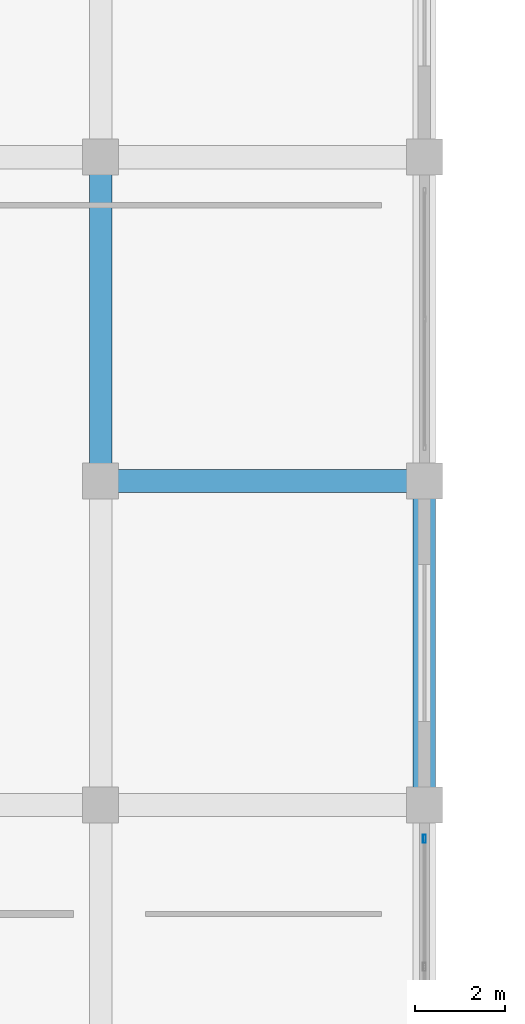
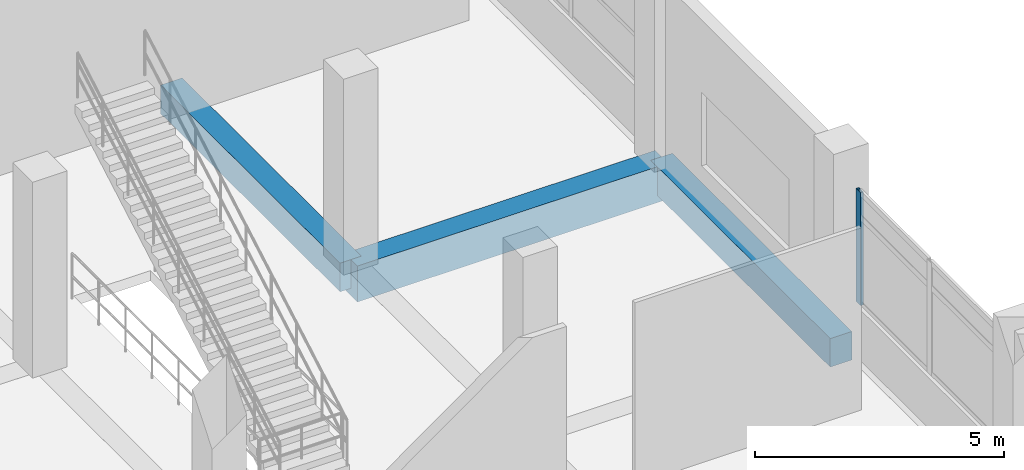
# One storey, part 52 of 140: 3 beams, 1 member, 1 element without a shape of its own.
"""IFC4 building model written with IfcOpenShell, lengths in metres."""

from ifc_helpers import new_model, si_unit, direction, frame, origin, origin_2d, place, context, subcontext, project, spatial, rectangle, hollow_rectangle, extrude, material, layer, layer_set, material_profile, profile_set, type_object, element, aggregate, save


model = new_model("IFC4")

# Units and contexts
model_context = context("Model", 3, precision=1e-05, world=origin(), true_north=direction((0.0, 1.0)))
body_context = subcontext(model_context, "Body", "Model", "MODEL_VIEW")
ifc_project = project(units=[si_unit("LENGTHUNIT", "METRE"), si_unit("AREAUNIT", "SQUARE_METRE"), si_unit("VOLUMEUNIT", "CUBIC_METRE"), si_unit("PLANEANGLEUNIT", "RADIAN"), si_unit("MASSUNIT", "GRAM", prefix="KILO")], contexts=[model_context])

# Site, building, storey
site_placement = place(None, origin())
site = spatial("IfcSite", under=ifc_project, at=site_placement, CompositionType="ELEMENT")
building_placement = place(site_placement, origin())
building = spatial("IfcBuilding", under=site, at=building_placement, Name="Seraya Terrace Polytechnic", CompositionType="ELEMENT")
storey_placement = place(building_placement, frame((0.0, 0.0, 9.60009765625)))
storey = spatial("IfcBuildingStorey", under=building, at=storey_placement, Name="L02", CompositionType="ELEMENT", Elevation=9.60009765625)

# Beams
ifc_material_1 = material(Name="Concrete C40/50", Category="concrete")
ifc_material_profile_1 = material_profile(ifc_material_1, rectangle(XDim=0.52001953125, YDim=0.8798828125, at=origin_2d()), Name="RC 520x880")
ifc_profile_set_1 = profile_set([ifc_material_profile_1], Name="Concrete C40/50")
beam_type_1 = type_object("IfcBeamType", Name="BM-04", PredefinedType="BEAM", material=ifc_profile_set_1)
beam_1_placement = place(storey_placement, frame((100.800048828125, 57.60009765625, -0.440185546875), z_axis=(1.0, 0.0, 0.0), x_axis=(0.0, 1.0, 0.0)))
element("IfcBeam", 1, at=beam_1_placement, inside=storey, type_object=beam_type_1, Name="Beam BM-04 L02 X (100.8..108.0, 57.6)", PredefinedType="BEAM", context=body_context, shape_type="SweptSolid", body=[
    extrude(rectangle(XDim=0.52001953125, YDim=0.8798828125, at=origin_2d()), origin(), (0.0, 0.0, 1.0), 7.199951171875),
])
ifc_material_profile_2 = material_profile(ifc_material_1, rectangle(XDim=0.5, YDim=0.699951171875, at=origin_2d()), Name="RC 500x700")
ifc_profile_set_2 = profile_set([ifc_material_profile_2], Name="Concrete C40/50")
beam_type_2 = type_object("IfcBeamType", Name="BM-07", PredefinedType="BEAM", material=ifc_profile_set_2)
beam_2_placement = place(storey_placement, frame((100.800048828125, 57.60009765625, -0.35009765625), z_axis=(0.0, 1.0, 0.0), x_axis=(-1.0, 0.0, 0.0)))
element("IfcBeam", 2, at=beam_2_placement, inside=storey, type_object=beam_type_2, Name="Beam BM-07 L02 Y (100.8, 57.6..64.8)", PredefinedType="BEAM", context=body_context, shape_type="SweptSolid", body=[
    extrude(rectangle(XDim=0.5, YDim=0.699951171875, at=origin_2d()), origin(), (0.0, 0.0, 1.0), 7.199951171875),
])
beam_3_placement = place(storey_placement, frame((108.0, 50.39990234375, -0.35009765625), z_axis=(0.0, 1.0, 0.0), x_axis=(-1.0, 0.0, 0.0)))
element("IfcBeam", 3, at=beam_3_placement, inside=storey, type_object=beam_type_2, Name="Beam BM-07 L02 Y (108.0, 50.4..57.6)", PredefinedType="BEAM", context=body_context, shape_type="SweptSolid", body=[
    extrude(rectangle(XDim=0.5, YDim=0.699951171875, at=origin_2d()), origin(), (0.0, 0.0, 1.0), 7.2001953125),
])

# Curtain wall, member
ifc_material_2 = material(Name="Anodised aluminium EN AW-6063 T6", Category="aluminium")
ifc_layer = layer(ifc_material_2, 0.179931640625, Name="CW-25")
ifc_layer_set = layer_set([ifc_layer], Name="Anodised aluminium EN AW-6063 T6")
curtain_wall_type = type_object("IfcCurtainWallType", Name="CW-25", PredefinedType="NOTDEFINED", material=ifc_layer_set)
curtain_wall_placement = place(storey_placement, origin())
curtain_wall = element("IfcCurtainWall", 4, at=curtain_wall_placement, inside=storey, type_object=curtain_wall_type, Name="Unitised curtain wall CW-25 (CW-L02-061)", PredefinedType="NOTDEFINED")
ifc_material_profile_3 = material_profile(ifc_material_2, hollow_rectangle(XDim=0.06494140625, YDim=0.179931640625, WallThickness=0.00390625, at=origin_2d()), Name="RHS 180x65x4.0")
ifc_profile_set_3 = profile_set([ifc_material_profile_3], Name="Anodised aluminium EN AW-6063 T6")
member_type = type_object("IfcMemberType", Name="CWM-01", PredefinedType="MULLION", material=ifc_profile_set_3)
member_placement = place(storey_placement, frame((108.0, 49.6474609375, 1.239990234375), z_axis=(0.0, 0.0, 1.0), x_axis=(1.0, 0.0, 0.0)))
member = element("IfcMember", 5, at=member_placement, type_object=member_type, Name="CW-25 mullion 1", PredefinedType="MULLION", context=body_context, shape_type="SweptSolid", body=[
    extrude(hollow_rectangle(XDim=0.06494140625, YDim=0.179931640625, WallThickness=0.00390625, at=origin_2d()), origin(), (0.0, 0.0, 1.0), 2.77001953125),
])
aggregate(curtain_wall, [member])

save(model, "model.ifc")
